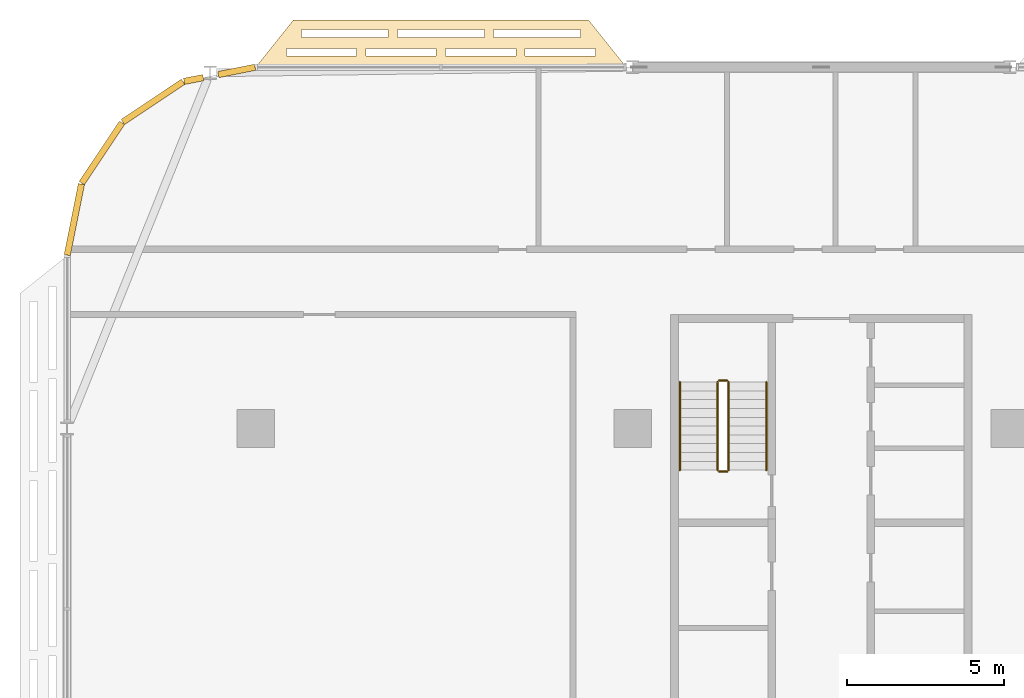
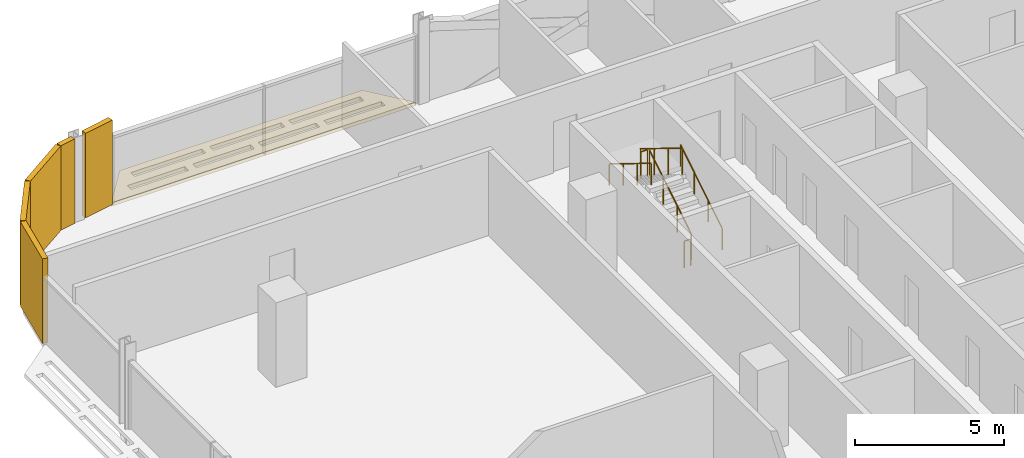
# One storey, part 24 of 27: 6 coverings, 6 railings.
"""IFC4 building model written with IfcOpenShell, lengths in metres."""

from ifc_helpers import new_model, si_unit, direction, frame, origin, origin_2d, place, context, subcontext, project, spatial, polyline, rectangle, circle, outline, extrude, material, layer, layer_set, type_object, element, save


model = new_model("IFC4")

# Units and contexts
model_context = context("Model", 3, precision=1e-05, world=origin(), true_north=direction((0.0, 1.0)))
body_context = subcontext(model_context, "Body", "Model", "MODEL_VIEW")
ifc_project = project(units=[si_unit("LENGTHUNIT", "METRE"), si_unit("AREAUNIT", "SQUARE_METRE"), si_unit("VOLUMEUNIT", "CUBIC_METRE"), si_unit("PLANEANGLEUNIT", "RADIAN"), si_unit("MASSUNIT", "GRAM", prefix="KILO")], contexts=[model_context])

# Site, building, storey
site_placement = place(None, origin())
site = spatial("IfcSite", under=ifc_project, at=site_placement, CompositionType="ELEMENT")
building_placement = place(site_placement, origin())
building = spatial("IfcBuilding", under=site, at=building_placement, Name="Mahtab Terrace Research Tower", CompositionType="ELEMENT")
storey_placement = place(building_placement, frame((0.0, 0.0, 178.199951171875)))
storey = spatial("IfcBuildingStorey", under=building, at=storey_placement, Name="L42", CompositionType="ELEMENT", Elevation=178.199951171875)

# Coverings
ifc_material_1 = material(Name="Black aluminium cladding panel", Category="aluminium")
ifc_layer_1 = layer(ifc_material_1, 0.199951171875)
ifc_layer_set_1 = layer_set([ifc_layer_1], Name="Black metal corner cladding 200")
covering_type_1 = type_object("IfcCoveringType", Name="Black metal corner cladding 200", PredefinedType="CLADDING", material=ifc_layer_set_1)
covering_1_placement = place(storey_placement, frame((-42.603271484375, 22.8798828125, 0.0), z_axis=(0.0, 0.0, 1.0), x_axis=(-0.980760981187, -0.195212442692, 0.0)))
element("IfcCovering", 1, at=covering_1_placement, inside=storey, type_object=covering_type_1, Name="Corner cladding L42 10", PredefinedType="CLADDING", context=body_context, shape_type="SweptSolid", body=[
    extrude(rectangle(XDim=1.1904296875, YDim=0.199951171875, at=origin_2d()), origin(), (0.0, 0.0, 1.0), 3.4599609375),
])
covering_2_placement = place(storey_placement, frame((-43.9716796875, 22.607666015625, 0.0), z_axis=(0.0, 0.0, 1.0), x_axis=(-0.980760981187, -0.195212442692, 0.0)))
element("IfcCovering", 2, at=covering_2_placement, inside=storey, type_object=covering_type_1, Name="Corner cladding L42 11", PredefinedType="CLADDING", context=body_context, shape_type="SweptSolid", body=[
    extrude(rectangle(XDim=0.62158203125, YDim=0.199951171875, at=origin_2d()), origin(), (0.0, 0.0, 1.0), 3.4599609375),
])
for number, where, z_axis, x_axis, name in (
    (3, (-45.26953125, 21.89306640625, 0.0), (0.0, 0.0, 1.0), (-0.831655794326, -0.555291490808, 0.0), "Corner cladding L42 12"),
    (4, (-46.89306640625, 20.26953125, 0.0), (0.0, 0.0, 1.0), (-0.555291490808, -0.831655794326, 0.0), "Corner cladding L42 13"),
    (5, (-47.771484375, 18.14794921875, 0.0), (0.0, 0.0, 1.0), (-0.195212442692, -0.980760981187, 0.0), "Corner cladding L42 14"),
):
    element("IfcCovering", number, at=place(storey_placement, frame(where, z_axis=z_axis, x_axis=x_axis)), inside=storey, type_object=covering_type_1, Name=name, PredefinedType="CLADDING", context=body_context, shape_type="SweptSolid", body=[
        extrude(rectangle(XDim=2.30126953125, YDim=0.199951171875, at=origin_2d()), origin(), (0.0, 0.0, 1.0), 3.4599609375),
    ])
ifc_material_2 = material(Name="Black anodised aluminium", Category="aluminium")
ifc_layer_2 = layer(ifc_material_2, 0.14990234375)
ifc_layer_set_2 = layer_set([ifc_layer_2], Name="Horizontal sunshade band")
covering_type_2 = type_object("IfcCoveringType", Name="Horizontal sunshade band", PredefinedType="CLADDING", material=ifc_layer_set_2)
covering_3_placement = place(storey_placement, frame((0.0, 0.0, -0.14990234375)))
element("IfcCovering", 6, at=covering_3_placement, inside=storey, type_object=covering_type_2, Name="Sunshade band L42 9", PredefinedType="CLADDING", context=body_context, shape_type="SweptSolid", body=[
    extrude(outline(polyline([(-30.2080078125, 23.0), (-42.0, 23.0), (-40.800048828125, 24.5), (-31.407958984375, 24.5), (-30.2080078125, 23.0)]), holes=[polyline([(-31.18798828125, 23.35009765625), (-33.4208984375, 23.35009765625), (-33.4208984375, 23.60009765625), (-31.18798828125, 23.60009765625), (-31.18798828125, 23.35009765625)]), polyline([(-33.720947265625, 23.35009765625), (-35.9541015625, 23.35009765625), (-35.9541015625, 23.60009765625), (-33.720947265625, 23.60009765625), (-33.720947265625, 23.35009765625)]), polyline([(-36.25390625, 23.35009765625), (-38.487060546875, 23.35009765625), (-38.487060546875, 23.60009765625), (-36.25390625, 23.60009765625), (-36.25390625, 23.35009765625)]), polyline([(-38.787109375, 23.35009765625), (-41.02001953125, 23.35009765625), (-41.02001953125, 23.60009765625), (-38.787109375, 23.60009765625), (-38.787109375, 23.35009765625)]), polyline([(-31.66796875, 23.949951171875), (-34.425048828125, 23.949951171875), (-34.425048828125, 24.199951171875), (-31.66796875, 24.199951171875), (-31.66796875, 23.949951171875)]), polyline([(-34.72509765625, 23.949951171875), (-37.48291015625, 23.949951171875), (-37.48291015625, 24.199951171875), (-34.72509765625, 24.199951171875), (-34.72509765625, 23.949951171875)]), polyline([(-37.782958984375, 23.949951171875), (-40.5400390625, 23.949951171875), (-40.5400390625, 24.199951171875), (-37.782958984375, 24.199951171875), (-37.782958984375, 23.949951171875)])]), origin(), (0.0, 0.0, 1.0), 0.14990234375),
])

# Railings
ifc_material_3 = material(Name="Stainless steel AISI 304", Category="steel")
railing_type_1 = type_object("IfcRailingType", Name="Stair guard 1100", PredefinedType="GUARDRAIL", material=ifc_material_3)
railing_1_placement = place(storey_placement, frame((-26.949951171875, 10.175048828125, 0.1728515625)))
element("IfcRailing", 7, at=railing_1_placement, inside=storey, type_object=railing_type_1, Name="L42 ST1 stair guard 1", PredefinedType="GUARDRAIL", context=body_context, shape_type="SweptSolid", body=[
    extrude(circle(Radius=0.02392578125, at=origin_2d()), frame((0.0, 0.0, 1.076171875), z_axis=(0.0, 0.851089632645, 0.525020415988), x_axis=(-1.0, 0.0, 0.0)), (0.0, 0.0, 1.0), 3.2900390625),
    extrude(circle(Radius=0.02099609375, at=origin_2d()), origin(), (0.0, 0.0, 1.0), 1.052001953125),
    extrude(circle(Radius=0.02099609375, at=origin_2d()), frame((0.0, 0.933349609375, 0.57568359375)), (0.0, 0.0, 1.0), 1.052001953125),
    extrude(circle(Radius=0.02099609375, at=origin_2d()), frame((0.0, 1.86669921875, 1.151611328125)), (0.0, 0.0, 1.0), 1.052001953125),
    extrude(circle(Radius=0.02099609375, at=origin_2d()), frame((0.0, 2.800048828125, 1.727294921875)), (0.0, 0.0, 1.0), 1.052001953125),
])
railing_2_placement = place(storey_placement, frame((-27.0, 13.02490234375, 1.900146484375)))
element("IfcRailing", 8, at=railing_2_placement, inside=storey, type_object=railing_type_1, Name="L42 ST1 stair guard 2", PredefinedType="GUARDRAIL", context=body_context, shape_type="SweptSolid", body=[
    extrude(circle(Radius=0.02392578125, at=origin_2d()), frame((0.0, 0.0, 1.076171875), z_axis=(-1.0, 0.0, 0.0), x_axis=(0.0, -1.0, 0.0)), (0.0, 0.0, 1.0), 0.25),
    extrude(circle(Radius=0.02099609375, at=origin_2d()), origin(), (0.0, 0.0, 1.0), 1.052001953125),
    extrude(circle(Radius=0.02099609375, at=origin_2d()), frame((-0.25, 0.0, 0.0)), (0.0, 0.0, 1.0), 1.052001953125),
])
railing_3_placement = place(storey_placement, frame((-27.300048828125, 12.97509765625, 2.07275390625)))
element("IfcRailing", 9, at=railing_3_placement, inside=storey, type_object=railing_type_1, Name="L42 ST1 stair guard 3", PredefinedType="GUARDRAIL", context=body_context, shape_type="SweptSolid", body=[
    extrude(circle(Radius=0.02392578125, at=origin_2d()), frame((0.0, 0.0, 1.076171875), z_axis=(0.0, -0.851089632645, 0.525020415988), x_axis=(1.0, 0.0, 0.0)), (0.0, 0.0, 1.0), 3.2900390625),
    extrude(circle(Radius=0.02099609375, at=origin_2d()), origin(), (0.0, 0.0, 1.0), 1.052001953125),
    extrude(circle(Radius=0.02099609375, at=origin_2d()), frame((0.0, -0.933349609375, 0.57568359375)), (0.0, 0.0, 1.0), 1.052001953125),
    extrude(circle(Radius=0.02099609375, at=origin_2d()), frame((0.0, -1.86669921875, 1.151611328125)), (0.0, 0.0, 1.0), 1.052001953125),
    extrude(circle(Radius=0.02099609375, at=origin_2d()), frame((0.0, -2.800048828125, 1.727294921875)), (0.0, 0.0, 1.0), 1.052001953125),
])
railing_4_placement = place(storey_placement, frame((-27.0, 10.125, 0.0)))
element("IfcRailing", 10, at=railing_4_placement, inside=storey, type_object=railing_type_1, Name="L42 ST1 stair guard 4", PredefinedType="GUARDRAIL", context=body_context, shape_type="SweptSolid", body=[
    extrude(circle(Radius=0.02392578125, at=origin_2d()), frame((0.0, 0.0, 1.076171875), z_axis=(-1.0, 0.0, 0.0), x_axis=(0.0, -1.0, 0.0)), (0.0, 0.0, 1.0), 0.25),
    extrude(circle(Radius=0.02099609375, at=origin_2d()), origin(), (0.0, 0.0, 1.0), 1.052001953125),
    extrude(circle(Radius=0.02099609375, at=origin_2d()), frame((-0.25, 0.0, 0.0)), (0.0, 0.0, 1.0), 1.052001953125),
])
railing_type_2 = type_object("IfcRailingType", Name="Stair handrail 900", PredefinedType="HANDRAIL", material=ifc_material_3)
railing_5_placement = place(storey_placement, frame((-25.75, 10.175048828125, 0.1728515625)))
element("IfcRailing", 11, at=railing_5_placement, inside=storey, type_object=railing_type_2, Name="L42 ST1 stair handrail 1", PredefinedType="HANDRAIL", context=body_context, shape_type="SweptSolid", body=[
    extrude(circle(Radius=0.02392578125, at=origin_2d()), frame((0.0, 0.0, 0.8759765625), z_axis=(0.0, 0.851089632645, 0.525020415988), x_axis=(-1.0, 0.0, 0.0)), (0.0, 0.0, 1.0), 3.2900390625),
    extrude(circle(Radius=0.02099609375, at=origin_2d()), origin(), (0.0, 0.0, 1.0), 0.851806640625),
    extrude(circle(Radius=0.02099609375, at=origin_2d()), frame((0.0, 0.933349609375, 0.57568359375)), (0.0, 0.0, 1.0), 0.851806640625),
    extrude(circle(Radius=0.02099609375, at=origin_2d()), frame((0.0, 1.86669921875, 1.151611328125)), (0.0, 0.0, 1.0), 0.851806640625),
    extrude(circle(Radius=0.02099609375, at=origin_2d()), frame((0.0, 2.800048828125, 1.727294921875)), (0.0, 0.0, 1.0), 0.851806640625),
])
railing_6_placement = place(storey_placement, frame((-28.5, 12.97509765625, 2.07275390625)))
element("IfcRailing", 12, at=railing_6_placement, inside=storey, type_object=railing_type_2, Name="L42 ST1 stair handrail 2", PredefinedType="HANDRAIL", context=body_context, shape_type="SweptSolid", body=[
    extrude(circle(Radius=0.02392578125, at=origin_2d()), frame((0.0, 0.0, 0.8759765625), z_axis=(0.0, -0.851089632645, 0.525020415988), x_axis=(1.0, 0.0, 0.0)), (0.0, 0.0, 1.0), 3.2900390625),
    extrude(circle(Radius=0.02099609375, at=origin_2d()), origin(), (0.0, 0.0, 1.0), 0.851806640625),
    extrude(circle(Radius=0.02099609375, at=origin_2d()), frame((0.0, -0.933349609375, 0.57568359375)), (0.0, 0.0, 1.0), 0.851806640625),
    extrude(circle(Radius=0.02099609375, at=origin_2d()), frame((0.0, -1.86669921875, 1.151611328125)), (0.0, 0.0, 1.0), 0.851806640625),
    extrude(circle(Radius=0.02099609375, at=origin_2d()), frame((0.0, -2.800048828125, 1.727294921875)), (0.0, 0.0, 1.0), 0.851806640625),
])

save(model, "model.ifc")
